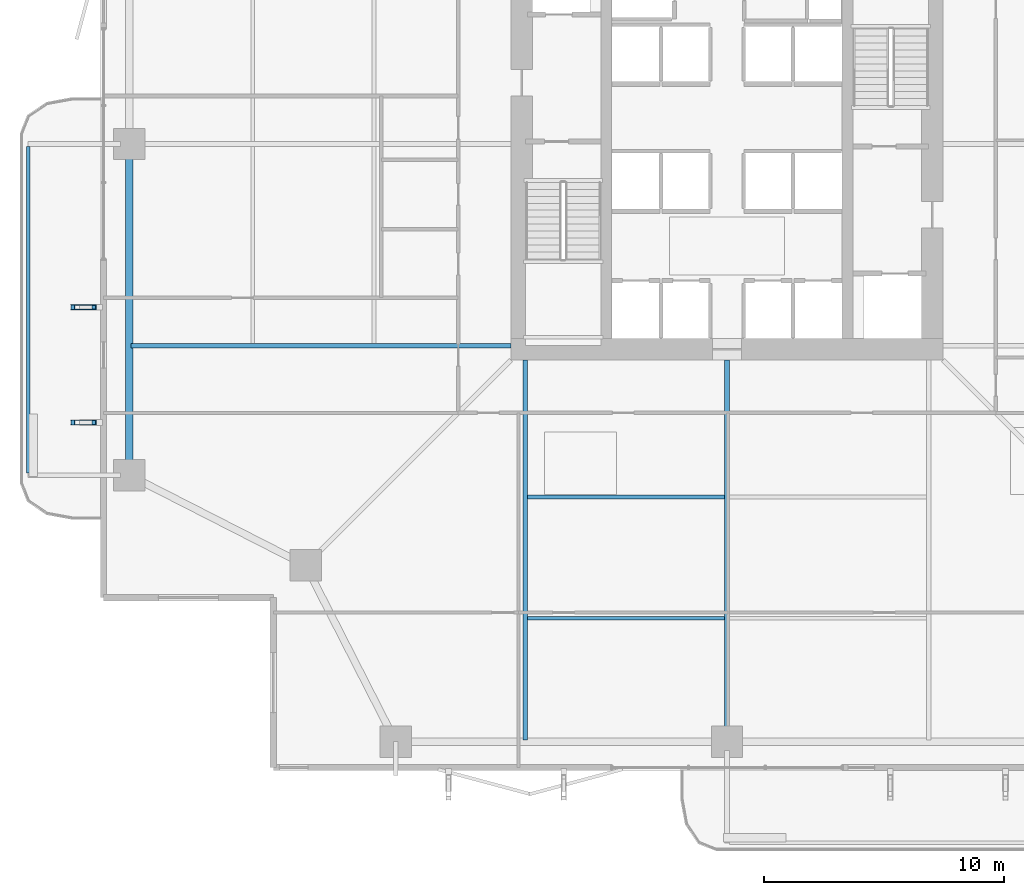
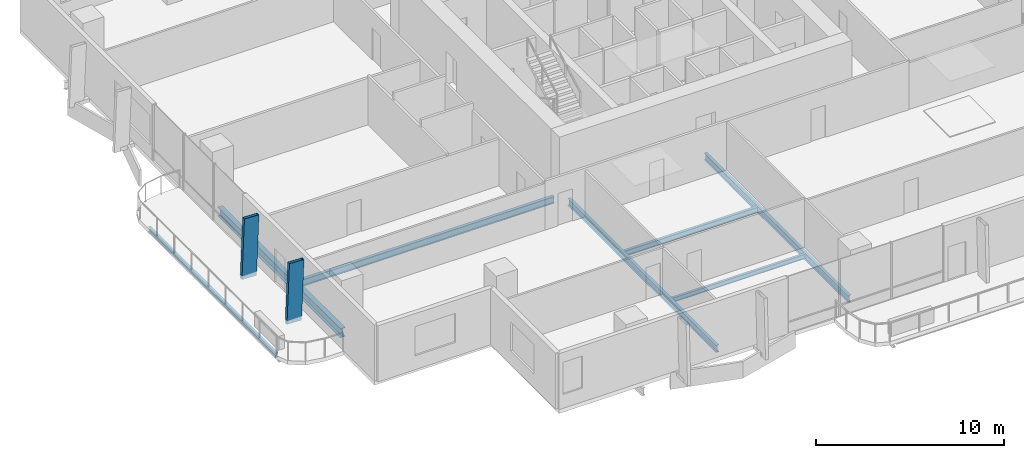
# One storey, part 3 of 24: 7 beams, 2 members.
"""IFC4 building model written with IfcOpenShell, lengths in metres."""

import ifcopenshell
import ifcopenshell.guid

model = None  # the IFC model being written
_history = None  # IfcOwnerHistory: only IFC2X3 demands one
_inside = {}  # id of a spatial element -> (the spatial element, [elements in it])
_under = {}  # id of a project, library or spatial element -> (it, [spatial elements below it])
_declared = {}  # id of a project -> (the project, [libraries it declares])
_typed = {}  # id of a type object -> (the type object, [elements of that type])
_made_of = {}  # id of a material, layer set ... -> (it, [elements and type objects made of it])


def new_model(schema):
    """Start an empty IFC model of exactly this schema.

    Asked for "IFC4X3", IfcOpenShell would pick the latest addendum, in which some entities
    have other attributes; the version numbers below select the first issue.
    IFC2X3 requires an IfcOwnerHistory on every rooted entity: one is made here for all.
    """
    global model, _history
    if schema == "IFC4X3":
        model = ifcopenshell.file(schema_version=(4, 3, 0, 0))
    else:
        model = ifcopenshell.file(schema=schema)
    _inside.clear()
    _under.clear()
    _declared.clear()
    _typed.clear()
    _made_of.clear()
    _history = None
    if model.schema == "IFC2X3":
        org = make("IfcOrganization", Name="unknown")
        user = make(
            "IfcPersonAndOrganization",
            ThePerson=make("IfcPerson", FamilyName="unknown"),
            TheOrganization=org,
        )
        app = make(
            "IfcApplication",
            ApplicationDeveloper=org,
            Version="unknown",
            ApplicationFullName="unknown",
            ApplicationIdentifier="unknown",
        )
        _history = make(
            "IfcOwnerHistory",
            OwningUser=user,
            OwningApplication=app,
            ChangeAction="ADDED",
            CreationDate=0,
        )
    return model


def make(cls, **values):
    """One entity of the class cls with the attributes given. An attribute that is None is left unset."""
    return model.create_entity(
        cls, **{name: value for name, value in values.items() if value is not None}
    )


def rooted(cls, **values):
    """An entity with a GlobalId (a new one), such as an element, a storey or a relation."""
    return make(cls, GlobalId=ifcopenshell.guid.new(), OwnerHistory=_history, **values)


def si_unit(unit_type, name, prefix=None):
    """IfcSIUnit, for example si_unit("LENGTHUNIT", "METRE", prefix="MILLI")."""
    return make("IfcSIUnit", UnitType=unit_type, Prefix=prefix, Name=name)


def assignment(units):
    """IfcUnitAssignment: the units of a project."""
    return None if units is None else make("IfcUnitAssignment", Units=units)


def point(xyz):
    """IfcCartesianPoint."""
    return None if xyz is None else make("IfcCartesianPoint", Coordinates=xyz)


def direction(xyz):
    """IfcDirection."""
    return None if xyz is None else make("IfcDirection", DirectionRatios=xyz)


def frame(location, z_axis=None, x_axis=None):
    """IfcAxis2Placement3D, a coordinate frame: its origin and axes. An axis left out is left unset."""
    return make(
        "IfcAxis2Placement3D",
        Location=point(location),
        Axis=direction(z_axis),
        RefDirection=direction(x_axis),
    )


def frame_2d(location, x_axis=None):
    """IfcAxis2Placement2D, a coordinate frame in the plane: its origin and x axis."""
    return make(
        "IfcAxis2Placement2D", Location=point(location), RefDirection=direction(x_axis)
    )


def origin():
    """The frame at (0, 0, 0) with its axes left unset."""
    return frame((0.0, 0.0, 0.0))


def origin_2d():
    """The frame at (0, 0) in the plane with its x axis left unset."""
    return frame_2d((0.0, 0.0))


def place(relative_to, where):
    """IfcLocalPlacement: puts the frame where relative to a parent placement (None: the world)."""
    return make(
        "IfcLocalPlacement", PlacementRelTo=relative_to, RelativePlacement=where
    )


def context(
    kind, dimensions, precision=None, world=None, true_north=None, identifier=None
):
    """IfcGeometricRepresentationContext, for example the 3D "Model" context."""
    return make(
        "IfcGeometricRepresentationContext",
        ContextIdentifier=identifier,
        ContextType=kind,
        CoordinateSpaceDimension=dimensions,
        Precision=precision,
        WorldCoordinateSystem=world,
        TrueNorth=true_north,
    )


def subcontext(parent, identifier, kind, view, scale=None):
    """IfcGeometricRepresentationSubContext, for example "Body" below "Model"."""
    return make(
        "IfcGeometricRepresentationSubContext",
        ContextIdentifier=identifier,
        ContextType=kind,
        ParentContext=parent,
        TargetScale=scale,
        TargetView=view,
    )


def project(units=None, contexts=None):
    """IfcProject with its units and contexts."""
    return rooted(
        "IfcProject",
        Name="project",
        RepresentationContexts=contexts,
        UnitsInContext=assignment(units),
    )


def spatial(cls, under=None, at=None, **own):
    """A site, building, storey or space (cls), placed at a placement, below another one or the project."""
    s = rooted(cls, ObjectPlacement=at, **own)
    if under is not None:
        _under.setdefault(under.id(), (under, []))[1].append(s)
    return s


def profile(cls, at=None, kind="AREA", **sizes):
    """A parametric profile (cls). Its sizes go by their IFC names, for example OverallWidth=200.0."""
    return make(cls, ProfileType=kind, Position=at, **sizes)


def hollow_rectangle(**sizes):
    """IfcRectangleHollowProfileDef."""
    return profile("IfcRectangleHollowProfileDef", **sizes)


def i_section(**sizes):
    """IfcIShapeProfileDef."""
    return profile("IfcIShapeProfileDef", **sizes)


def extrude(swept, where, along, depth):
    """IfcExtrudedAreaSolid: the profile swept, set in the frame where, extruded along a direction by depth."""
    return make(
        "IfcExtrudedAreaSolid",
        SweptArea=swept,
        Position=where,
        ExtrudedDirection=direction(along),
        Depth=depth,
    )


def shape(context_of_items, identifier, shape_type, items):
    """IfcShapeRepresentation: the items that make up one representation, for example the "Body"."""
    return make(
        "IfcShapeRepresentation",
        ContextOfItems=context_of_items,
        RepresentationIdentifier=identifier,
        RepresentationType=shape_type,
        Items=items,
    )


def material(Name=None, Category=None):
    """IfcMaterial."""
    return make("IfcMaterial", Name=Name, Category=Category)


def material_profile(
    of_material, cross_section, Name=None, Category=None, Priority=None
):
    """IfcMaterialProfile: a cross section and its material."""
    return make(
        "IfcMaterialProfile",
        Name=Name,
        Material=of_material,
        Profile=cross_section,
        Priority=Priority,
        Category=Category,
    )


def profile_set(profiles, Name=None, composite=None):
    """IfcMaterialProfileSet."""
    return make(
        "IfcMaterialProfileSet",
        Name=Name,
        MaterialProfiles=profiles,
        CompositeProfile=composite,
    )


def made_of(thing, what):
    """Note that an element or type object is made of a material, layer set ...; save() writes the relation."""
    if what is not None:
        _made_of.setdefault(what.id(), (what, []))[1].append(thing)
    return thing


def type_object(cls, material=None, **own):
    """A type object (cls), such as IfcWallType, which elements share."""
    return made_of(rooted(cls, **own), material)


def element(
    cls,
    number,
    at=None,
    inside=None,
    cuts=None,
    type_object=None,
    material=None,
    context=None,
    identifier="Body",
    shape_type=None,
    held_by="IfcProductDefinitionShape",
    body=None,
    shapes=None,
    **own,
):
    """One element of the class cls, such as IfcWall. Its Tag is "e" and its number.

    at: its placement. inside: the storey or other place that contains it. cuts: it is an
    opening in that element (IfcRelVoidsElement). A single representation is given by context,
    identifier, shape_type and body (its items); several are given by shapes. held_by: the class
    of the entity that holds the representations. save() writes the other relations.
    """
    e = rooted(cls, Tag="e%d" % number, ObjectPlacement=at, **own)
    if body is not None:
        shapes = [shape(context, identifier, shape_type, body)]
    if shapes is not None:
        e.Representation = make(held_by, Representations=shapes)
    if inside is not None:
        _inside.setdefault(inside.id(), (inside, []))[1].append(e)
    if cuts is not None:
        rooted(
            "IfcRelVoidsElement", RelatingBuildingElement=cuts, RelatedOpeningElement=e
        )
    if type_object is not None:
        _typed.setdefault(type_object.id(), (type_object, []))[1].append(e)
    return made_of(e, material)


def aggregate(whole, parts):
    """IfcRelAggregates: a whole, such as a stair, and the parts it consists of."""
    return rooted("IfcRelAggregates", RelatingObject=whole, RelatedObjects=parts)


def save(model, path):
    """Write the relations noted so far, then the file.

    IfcRelAggregates (storeys below a building ...), IfcRelContainedInSpatialStructure (elements
    in a storey), IfcRelDefinesByType, IfcRelAssociatesMaterial and IfcRelDeclares: one each for
    every whole, place, type object, material and project.
    """
    for whole, parts in _under.values():
        aggregate(whole, parts)
    for where, things in _inside.values():
        rooted(
            "IfcRelContainedInSpatialStructure",
            RelatedElements=things,
            RelatingStructure=where,
        )
    for kind, things in _typed.values():
        rooted("IfcRelDefinesByType", RelatedObjects=things, RelatingType=kind)
    for what, things in _made_of.values():
        rooted("IfcRelAssociatesMaterial", RelatedObjects=things, RelatingMaterial=what)
    for by, libraries in _declared.values():
        rooted("IfcRelDeclares", RelatingContext=by, RelatedDefinitions=libraries)
    model.write(path)


model = new_model("IFC4")

# Units and contexts
model_context = context("Model", 3, precision=1e-05, world=origin(), true_north=direction((0.0, 1.0)))
body_context = subcontext(model_context, "Body", "Model", "MODEL_VIEW")
ifc_project = project(units=[si_unit("LENGTHUNIT", "METRE"), si_unit("AREAUNIT", "SQUARE_METRE"), si_unit("VOLUMEUNIT", "CUBIC_METRE"), si_unit("PLANEANGLEUNIT", "RADIAN"), si_unit("MASSUNIT", "GRAM", prefix="KILO")], contexts=[model_context])

# Site, building, storey
site_placement = place(None, origin())
site = spatial("IfcSite", under=ifc_project, at=site_placement, CompositionType="ELEMENT")
building_placement = place(site_placement, origin())
building = spatial("IfcBuilding", under=site, at=building_placement, Name="Belovzor Exchange Tower", CompositionType="ELEMENT")
storey_placement = place(building_placement, frame((0.0, 0.0, 121.199951171875)))
storey = spatial("IfcBuildingStorey", under=building, at=storey_placement, Name="L29", CompositionType="ELEMENT", Elevation=121.199951171875)

# Beams
ifc_material_1 = material(Name="Steel S355", Category="steel")
ifc_material_profile_1 = material_profile(ifc_material_1, i_section(OverallWidth=0.14990234375, OverallDepth=0.300048828125, WebThickness=0.007080078125, FlangeThickness=0.0107421875, at=origin_2d()))
ifc_profile_set_1 = profile_set([ifc_material_profile_1], Name="Steel S355")
beam_type_1 = type_object("IfcBeamType", Name="Planted Balcony Fascia Edge Beam IPE 300", PredefinedType="BEAM", material=ifc_profile_set_1)
beam_1_placement = place(storey_placement, frame((-0.30810546875, 28.699951171875, -0.39990234375), z_axis=(0.0, -1.0, 0.0), x_axis=(1.0, 0.0, 0.0)))
element("IfcBeam", 1, at=beam_1_placement, inside=storey, type_object=beam_type_1, Name="BC-300 Planted Balcony Fascia Edge Beam IPE 300", PredefinedType="BEAM", context=body_context, shape_type="SweptSolid", body=[
    extrude(i_section(OverallWidth=0.14990234375, OverallDepth=0.300048828125, WebThickness=0.007080078125, FlangeThickness=0.0107421875, at=origin_2d()), origin(), (0.0, 0.0, 1.0), 13.599853515625),
])
ifc_material_2 = material(Name="Steel S355", Category="steel")
ifc_material_profile_2 = material_profile(ifc_material_2, i_section(OverallWidth=0.169921875, OverallDepth=0.360107421875, WebThickness=0.008056640625, FlangeThickness=0.0126953125, at=origin_2d()))
ifc_profile_set_2 = profile_set([ifc_material_profile_2], Name="Steel S355")
beam_type_2 = type_object("IfcBeamType", Name="Secondary Infill Floor Joist IPE 360", PredefinedType="BEAM", material=ifc_profile_set_2)
beam_2_placement = place(storey_placement, frame((20.4951171875, 14.10302734375, -0.429931640625), z_axis=(1.0, 0.0, 0.0), x_axis=(0.0, 1.0, 0.0)))
element("IfcBeam", 2, at=beam_2_placement, inside=storey, type_object=beam_type_2, Name="FJ-360 Secondary Infill Floor Joist IPE 360", PredefinedType="BEAM", context=body_context, shape_type="SweptSolid", body=[
    extrude(i_section(OverallWidth=0.169921875, OverallDepth=0.360107421875, WebThickness=0.008056640625, FlangeThickness=0.0126953125, at=origin_2d()), origin(), (0.0, 0.0, 1.0), 8.2099609375),
])
ifc_material_3 = material(Name="Steel S355", Category="steel")
ifc_material_profile_3 = material_profile(ifc_material_3, i_section(OverallWidth=0.14990234375, OverallDepth=0.300048828125, WebThickness=0.007080078125, FlangeThickness=0.0107421875, at=origin_2d()))
ifc_profile_set_3 = profile_set([ifc_material_profile_3], Name="Steel S355")
beam_type_3 = type_object("IfcBeamType", Name="Secondary Trim Floor Joist IPE 300", PredefinedType="BEAM", material=ifc_profile_set_3)
beam_3_placement = place(storey_placement, frame((20.4951171875, 9.0390625, -0.39990234375), z_axis=(1.0, 0.0, 0.0), x_axis=(0.0, 1.0, 0.0)))
element("IfcBeam", 3, at=beam_3_placement, inside=storey, type_object=beam_type_3, Name="FJ-300 Secondary Trim Floor Joist IPE 300", PredefinedType="BEAM", context=body_context, shape_type="SweptSolid", body=[
    extrude(i_section(OverallWidth=0.14990234375, OverallDepth=0.300048828125, WebThickness=0.007080078125, FlangeThickness=0.0107421875, at=origin_2d()), origin(), (0.0, 0.0, 1.0), 8.2099609375),
])

# Members
ifc_material_4 = material(Name="Extruded Architectural Terracotta on Steel S355 Carrier", Category="masonry")
ifc_material_profile_4 = material_profile(ifc_material_4, hollow_rectangle(XDim=0.199951171875, YDim=0.89990234375, WallThickness=0.011962890625, at=origin_2d()))
ifc_profile_set_4 = profile_set([ifc_material_profile_4], Name="Extruded Architectural Terracotta on Steel S355 Carrier")
member_type = type_object("IfcMemberType", Name="Sweeping Terracotta Baguette Fin Assembly 1250", PredefinedType="USERDEFINED", material=ifc_profile_set_4)
for number, where, z_axis, x_axis, name in (
    (4, (1.9169921875, 17.199951171875, -0.25), (0.039718243113, 0.0, 0.999210919258), (0.0, 1.0, 0.0), "FIN-TC125 Terracotta Facade Fin L29 W1"),
    (5, (1.9169921875, 22.0, -0.25), (0.039718243113, 0.0, 0.999210919258), (0.0, 1.0, 0.0), "FIN-TC125 Terracotta Facade Fin L29 W2"),
):
    element("IfcMember", number, at=place(storey_placement, frame(where, z_axis=z_axis, x_axis=x_axis)), inside=storey, type_object=member_type, Name=name, ObjectType="FIN", PredefinedType="USERDEFINED", context=body_context, shape_type="SweptSolid", body=[
        extrude(hollow_rectangle(XDim=0.199951171875, YDim=0.89990234375, WallThickness=0.011962890625, at=origin_2d()), origin(), (0.0, 0.0, 1.0), 3.9033203125),
    ])

# Beams
ifc_material_5 = material(Name="Steel S355", Category="steel")
ifc_material_profile_5 = material_profile(ifc_material_5, i_section(OverallWidth=0.300048828125, OverallDepth=0.60009765625, WebThickness=0.015380859375, FlangeThickness=0.030029296875, at=origin_2d()))
ifc_profile_set_5 = profile_set([ifc_material_profile_5], Name="Steel S355")
beam_type_4 = type_object("IfcBeamType", Name="Zone 2 Primary Perimeter Girder HEB 600", PredefinedType="BEAM", material=ifc_profile_set_5)
beam_4_placement = place(storey_placement, frame((3.89990234375, 28.44189453125, -0.550048828125), z_axis=(0.0, -1.0, 0.0), x_axis=(1.0, 0.0, 0.0)))
element("IfcBeam", 6, at=beam_4_placement, inside=storey, type_object=beam_type_4, Name="FG-Z2 Zone 2 Primary Perimeter Girder HEB 600", PredefinedType="BEAM", context=body_context, shape_type="SweptSolid", body=[
    extrude(i_section(OverallWidth=0.300048828125, OverallDepth=0.60009765625, WebThickness=0.015380859375, FlangeThickness=0.030029296875, at=origin_2d()), origin(), (0.0, 0.0, 1.0), 13.0849609375),
])
ifc_material_6 = material(Name="Steel S355", Category="steel")
ifc_material_profile_6 = material_profile(ifc_material_6, i_section(OverallWidth=0.18994140625, OverallDepth=0.449951171875, WebThickness=0.009521484375, FlangeThickness=0.0146484375, at=origin_2d()))
ifc_profile_set_6 = profile_set([ifc_material_profile_6], Name="Steel S355")
beam_type_5 = type_object("IfcBeamType", Name="Zone 2-4 Radial Composite Floor Beam IPE 450", PredefinedType="BEAM", material=ifc_profile_set_6)
beam_5_placement = place(storey_placement, frame((20.39990234375, 19.800048828125, -0.474853515625), z_axis=(0.0, -1.0, 0.0), x_axis=(1.0, 0.0, 0.0)))
element("IfcBeam", 7, at=beam_5_placement, inside=storey, type_object=beam_type_5, Name="FB-450 Zone 2-4 Radial Composite Floor Beam IPE 450", PredefinedType="BEAM", context=body_context, shape_type="SweptSolid", body=[
    extrude(i_section(OverallWidth=0.18994140625, OverallDepth=0.449951171875, WebThickness=0.009521484375, FlangeThickness=0.0146484375, at=origin_2d()), origin(), (0.0, 0.0, 1.0), 15.824951171875),
])
beam_6_placement = place(storey_placement, frame((28.800048828125, 19.800048828125, -0.474853515625), z_axis=(0.0, -1.0, 0.0), x_axis=(1.0, 0.0, 0.0)))
element("IfcBeam", 8, at=beam_6_placement, inside=storey, type_object=beam_type_5, Name="FB-450 Zone 2-4 Radial Composite Floor Beam IPE 450", PredefinedType="BEAM", context=body_context, shape_type="SweptSolid", body=[
    extrude(i_section(OverallWidth=0.18994140625, OverallDepth=0.449951171875, WebThickness=0.009521484375, FlangeThickness=0.0146484375, at=origin_2d()), origin(), (0.0, 0.0, 1.0), 15.328125),
])
beam_7_placement = place(storey_placement, frame((19.800048828125, 20.39990234375, -0.474853515625), z_axis=(-1.0, 0.0, 0.0), x_axis=(0.0, -1.0, 0.0)))
element("IfcBeam", 9, at=beam_7_placement, inside=storey, type_object=beam_type_5, Name="FB-450 Zone 2-4 Radial Composite Floor Beam IPE 450", PredefinedType="BEAM", context=body_context, shape_type="SweptSolid", body=[
    extrude(i_section(OverallWidth=0.18994140625, OverallDepth=0.449951171875, WebThickness=0.009521484375, FlangeThickness=0.0146484375, at=origin_2d()), origin(), (0.0, 0.0, 1.0), 15.824951171875),
])

save(model, "model.ifc")
